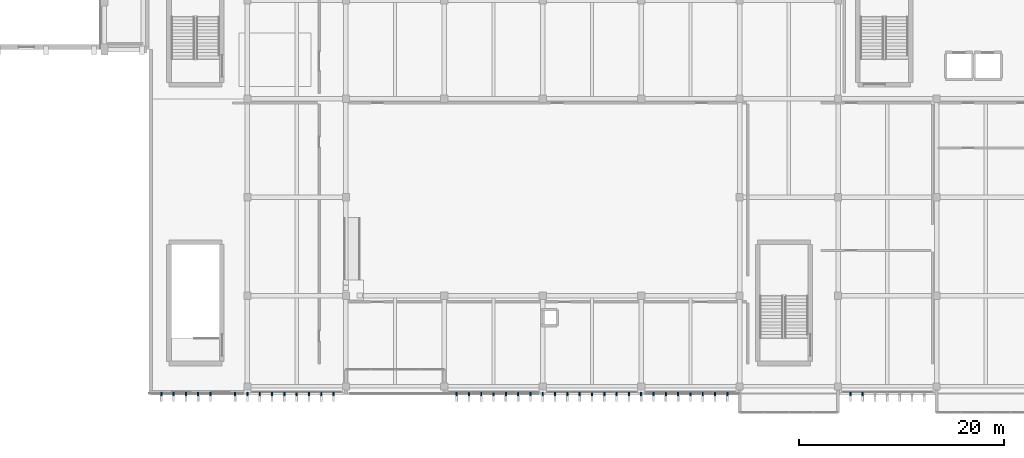
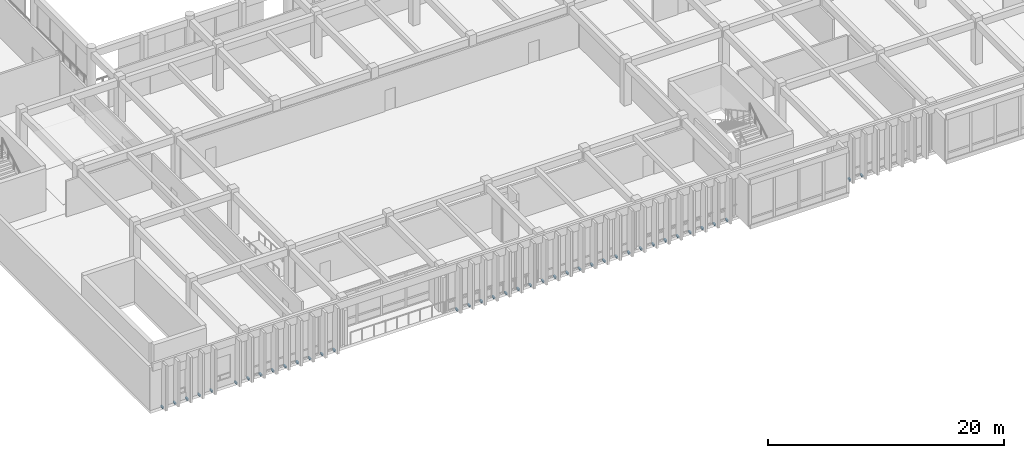
# One storey, part 111 of 133: 39 discrete accessories.
"""IFC4 building model written with IfcOpenShell, lengths in metres."""

from ifc_helpers import new_model, si_unit, direction, frame, origin, origin_2d, place, context, subcontext, project, spatial, rectangle, extrude, material, type_object, element, save


model = new_model("IFC4")

# Units and contexts
model_context = context("Model", 3, precision=1e-05, world=origin(), true_north=direction((0.0, 1.0)))
body_context = subcontext(model_context, "Body", "Model", "MODEL_VIEW")
ifc_project = project(units=[si_unit("LENGTHUNIT", "METRE"), si_unit("AREAUNIT", "SQUARE_METRE"), si_unit("VOLUMEUNIT", "CUBIC_METRE"), si_unit("PLANEANGLEUNIT", "RADIAN"), si_unit("MASSUNIT", "GRAM", prefix="KILO")], contexts=[model_context])

# Site, building, storey
site_placement = place(None, origin())
site = spatial("IfcSite", under=ifc_project, at=site_placement, CompositionType="ELEMENT")
building_placement = place(site_placement, origin())
building = spatial("IfcBuilding", under=site, at=building_placement, Name="Nakhvara Creek Congress Hotel", CompositionType="ELEMENT")
storey_placement = place(building_placement, frame((0.0, 0.0, 11.39990234375)))
storey = spatial("IfcBuildingStorey", under=building, at=storey_placement, Name="L02", CompositionType="ELEMENT", Elevation=11.39990234375)

# Discrete accessories
ifc_material = material(Name="Brushed stainless steel 316L", Category="steel")
discrete_accessory_type = type_object("IfcDiscreteAccessoryType", Name="ACC-BRK-SS316", PredefinedType="BRACKET", material=ifc_material)
for number, where, z_axis, x_axis, name in (
    (1, (58.800048828125, 0.02001953125, -0.10986328125), (0.0, 0.0, 1.0), (1.0, 0.0, 0.0), "Stainless Fin Bracket BK01-0217"),
    (2, (60.0, 0.02001953125, -0.10986328125), (0.0, 0.0, 1.0), (1.0, 0.0, 0.0), "Stainless Fin Bracket BK01-0218"),
    (3, (61.199951171875, 0.02001953125, -0.10986328125), (0.0, 0.0, 1.0), (1.0, 0.0, 0.0), "Stainless Fin Bracket BK01-0219"),
    (4, (62.39990234375, 0.02001953125, -0.10986328125), (0.0, 0.0, 1.0), (1.0, 0.0, 0.0), "Stainless Fin Bracket BK01-0220"),
    (5, (63.60009765625, 0.02001953125, -0.10986328125), (0.0, 0.0, 1.0), (1.0, 0.0, 0.0), "Stainless Fin Bracket BK01-0221"),
    (6, (66.0, 0.02001953125, -0.10986328125), (0.0, 0.0, 1.0), (1.0, 0.0, 0.0), "Stainless Fin Bracket BK01-0222"),
    (7, (67.199951171875, 0.02001953125, -0.10986328125), (0.0, 0.0, 1.0), (1.0, 0.0, 0.0), "Stainless Fin Bracket BK01-0223"),
    (8, (68.39990234375, 0.02001953125, -0.10986328125), (0.0, 0.0, 1.0), (1.0, 0.0, 0.0), "Stainless Fin Bracket BK01-0224"),
    (9, (69.60009765625, 0.02001953125, -0.10986328125), (0.0, 0.0, 1.0), (1.0, 0.0, 0.0), "Stainless Fin Bracket BK01-0225"),
    (10, (70.800048828125, 0.02001953125, -0.10986328125), (0.0, 0.0, 1.0), (1.0, 0.0, 0.0), "Stainless Fin Bracket BK01-0226"),
    (11, (72.0, 0.02001953125, -0.10986328125), (0.0, 0.0, 1.0), (1.0, 0.0, 0.0), "Stainless Fin Bracket BK01-0227"),
    (12, (73.199951171875, 0.02001953125, -0.10986328125), (0.0, 0.0, 1.0), (1.0, 0.0, 0.0), "Stainless Fin Bracket BK01-0228"),
    (13, (74.39990234375, 0.02001953125, -0.10986328125), (0.0, 0.0, 1.0), (1.0, 0.0, 0.0), "Stainless Fin Bracket BK01-0229"),
    (14, (75.60009765625, 0.02001953125, -0.10986328125), (0.0, 0.0, 1.0), (1.0, 0.0, 0.0), "Stainless Fin Bracket BK01-0230"),
    (15, (87.60009765625, 0.02001953125, -0.10986328125), (0.0, 0.0, 1.0), (1.0, 0.0, 0.0), "Stainless Fin Bracket BK01-0231"),
    (16, (88.800048828125, 0.02001953125, -0.10986328125), (0.0, 0.0, 1.0), (1.0, 0.0, 0.0), "Stainless Fin Bracket BK01-0232"),
    (17, (90.0, 0.02001953125, -0.10986328125), (0.0, 0.0, 1.0), (1.0, 0.0, 0.0), "Stainless Fin Bracket BK01-0233"),
    (18, (91.199951171875, 0.02001953125, -0.10986328125), (0.0, 0.0, 1.0), (1.0, 0.0, 0.0), "Stainless Fin Bracket BK01-0234"),
    (19, (92.39990234375, 0.02001953125, -0.10986328125), (0.0, 0.0, 1.0), (1.0, 0.0, 0.0), "Stainless Fin Bracket BK01-0235"),
    (20, (93.60009765625, 0.02001953125, -0.10986328125), (0.0, 0.0, 1.0), (1.0, 0.0, 0.0), "Stainless Fin Bracket BK01-0236"),
    (21, (94.800048828125, 0.02001953125, -0.10986328125), (0.0, 0.0, 1.0), (1.0, 0.0, 0.0), "Stainless Fin Bracket BK01-0237"),
    (22, (96.0, 0.02001953125, -0.10986328125), (0.0, 0.0, 1.0), (1.0, 0.0, 0.0), "Stainless Fin Bracket BK01-0238"),
    (23, (97.199951171875, 0.02001953125, -0.10986328125), (0.0, 0.0, 1.0), (1.0, 0.0, 0.0), "Stainless Fin Bracket BK01-0239"),
    (24, (98.39990234375, 0.02001953125, -0.10986328125), (0.0, 0.0, 1.0), (1.0, 0.0, 0.0), "Stainless Fin Bracket BK01-0240"),
    (25, (99.60009765625, 0.02001953125, -0.10986328125), (0.0, 0.0, 1.0), (1.0, 0.0, 0.0), "Stainless Fin Bracket BK01-0241"),
    (26, (100.800048828125, 0.02001953125, -0.10986328125), (0.0, 0.0, 1.0), (1.0, 0.0, 0.0), "Stainless Fin Bracket BK01-0242"),
    (27, (102.0, 0.02001953125, -0.10986328125), (0.0, 0.0, 1.0), (1.0, 0.0, 0.0), "Stainless Fin Bracket BK01-0243"),
    (28, (103.199951171875, 0.02001953125, -0.10986328125), (0.0, 0.0, 1.0), (1.0, 0.0, 0.0), "Stainless Fin Bracket BK01-0244"),
    (29, (104.39990234375, 0.02001953125, -0.10986328125), (0.0, 0.0, 1.0), (1.0, 0.0, 0.0), "Stainless Fin Bracket BK01-0245"),
    (30, (105.60009765625, 0.02001953125, -0.10986328125), (0.0, 0.0, 1.0), (1.0, 0.0, 0.0), "Stainless Fin Bracket BK01-0246"),
    (31, (106.800048828125, 0.02001953125, -0.10986328125), (0.0, 0.0, 1.0), (1.0, 0.0, 0.0), "Stainless Fin Bracket BK01-0247"),
    (32, (108.0, 0.02001953125, -0.10986328125), (0.0, 0.0, 1.0), (1.0, 0.0, 0.0), "Stainless Fin Bracket BK01-0248"),
    (33, (109.199951171875, 0.02001953125, -0.10986328125), (0.0, 0.0, 1.0), (1.0, 0.0, 0.0), "Stainless Fin Bracket BK01-0249"),
    (34, (110.39990234375, 0.02001953125, -0.10986328125), (0.0, 0.0, 1.0), (1.0, 0.0, 0.0), "Stainless Fin Bracket BK01-0250"),
    (35, (111.60009765625, 0.02001953125, -0.10986328125), (0.0, 0.0, 1.0), (1.0, 0.0, 0.0), "Stainless Fin Bracket BK01-0251"),
    (36, (112.800048828125, 0.02001953125, -0.10986328125), (0.0, 0.0, 1.0), (1.0, 0.0, 0.0), "Stainless Fin Bracket BK01-0252"),
    (37, (114.0, 0.02001953125, -0.10986328125), (0.0, 0.0, 1.0), (1.0, 0.0, 0.0), "Stainless Fin Bracket BK01-0253"),
    (38, (126.0, 0.02001953125, -0.10986328125), (0.0, 0.0, 1.0), (1.0, 0.0, 0.0), "Stainless Fin Bracket BK01-0254"),
    (39, (127.199951171875, 0.02001953125, -0.10986328125), (0.0, 0.0, 1.0), (1.0, 0.0, 0.0), "Stainless Fin Bracket BK01-0255"),
):
    element("IfcDiscreteAccessory", number, at=place(storey_placement, frame(where, z_axis=z_axis, x_axis=x_axis)), inside=storey, type_object=discrete_accessory_type, Name=name, PredefinedType="BRACKET", context=body_context, shape_type="SweptSolid", body=[
        extrude(rectangle(XDim=0.139892578125, YDim=0.360107421875, at=origin_2d()), origin(), (0.0, 0.0, 1.0), 0.179931640625),
    ])

save(model, "model.ifc")
